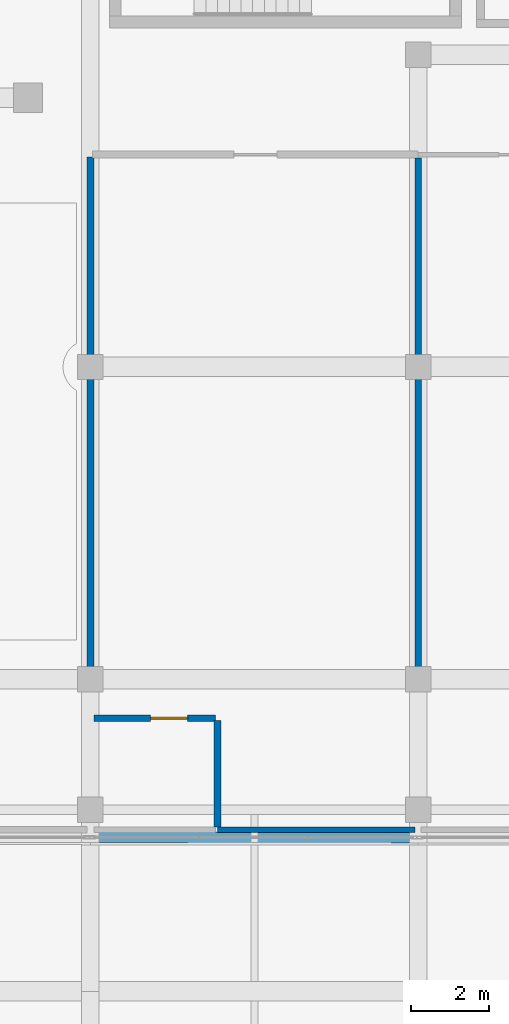
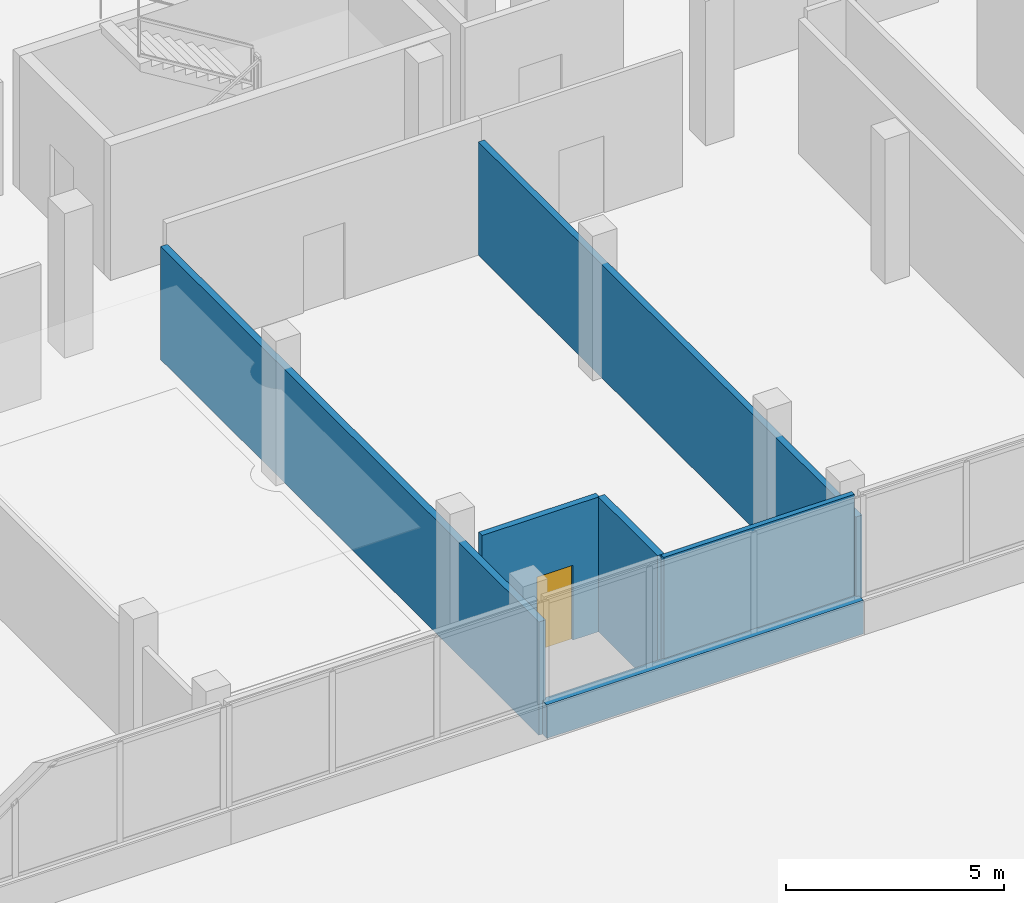
# One storey, part 66 of 78: 6 walls, 1 door, 1 opening.
"""IFC4 building model written with IfcOpenShell, lengths in metres."""

from ifc_helpers import new_model, si_unit, direction, frame, frame_2d, origin, place, context, subcontext, project, spatial, rectangle, extrude, material, layer, layer_set, type_object, element, fill, save


model = new_model("IFC4")

# Units and contexts
model_context = context("Model", 3, precision=1e-05, world=origin(), true_north=direction((0.0, 1.0)))
body_context = subcontext(model_context, "Body", "Model", "MODEL_VIEW")
ifc_project = project(units=[si_unit("LENGTHUNIT", "METRE"), si_unit("AREAUNIT", "SQUARE_METRE"), si_unit("VOLUMEUNIT", "CUBIC_METRE"), si_unit("PLANEANGLEUNIT", "RADIAN"), si_unit("MASSUNIT", "GRAM", prefix="KILO")], contexts=[model_context])

# Site, building, storey
site_placement = place(None, origin())
site = spatial("IfcSite", under=ifc_project, at=site_placement, CompositionType="ELEMENT")
building_placement = place(site_placement, origin())
building = spatial("IfcBuilding", under=site, at=building_placement, Name="Selatvlak General Hospital", CompositionType="ELEMENT")
storey_placement = place(building_placement, frame((0.0, 0.0, 23.25)))
storey = spatial("IfcBuildingStorey", under=building, at=storey_placement, Name="L05", CompositionType="ELEMENT", Elevation=23.25)

# Walls
ifc_material_1 = material(Name="Precast concrete C40/50 - white Bauhaus spandrel", Category="concrete")
ifc_layer_1 = layer(ifc_material_1, 0.280029296875, Name="Precast concrete C40/50 - white Bauhaus spandrel", Category="concrete")
ifc_layer_set_1 = layer_set([ifc_layer_1], Name="Precast concrete C40/50 - white Bauhaus spandrel")
wall_type_1 = type_object("IfcWallType", Name="WALL-EW-02", PredefinedType="SOLIDWALL", material=ifc_layer_set_1)
wall_1_placement = place(storey_placement, frame((140.39794921875, 87.944091796875, 0.0), z_axis=(0.0, 0.0, 1.0), x_axis=(-0.999999891771, 0.000465251476, 0.0)))
element("IfcWall", 1, at=wall_1_placement, inside=storey, type_object=wall_type_1, Name="L05 Bauhaus spandrel sill wall 0509", PredefinedType="SOLIDWALL", context=body_context, shape_type="SweptSolid", body=[
    extrude(rectangle(XDim=8.39599609375, YDim=0.280029296875, at=frame_2d((4.197998046875, 0.0))), origin(), (0.0, 0.0, 1.0), 0.93994140625),
])
ifc_material_2 = material(Name="Acoustic gypsum stud partition")
ifc_layer_2 = layer(ifc_material_2, 0.179931640625, Name="Acoustic gypsum stud partition")
ifc_layer_set_2 = layer_set([ifc_layer_2], Name="Acoustic gypsum stud partition")
wall_type_2 = type_object("IfcWallType", Name="WALL-PT-01", PredefinedType="PARTITIONING", material=ifc_layer_set_2)
wall_2_placement = place(storey_placement, frame((132.0, 105.3779296875, 0.0), z_axis=(0.0, 0.0, 1.0), x_axis=(0.0, -1.0, 0.0)))
element("IfcWall", 2, at=wall_2_placement, inside=storey, type_object=wall_type_2, Name="L05 clinical partition PT-L05-1885", PredefinedType="PARTITIONING", context=body_context, shape_type="SweptSolid", body=[
    extrude(rectangle(XDim=17.367919921875, YDim=0.179931640625, at=frame_2d((8.68408203125, 0.0))), origin(), (0.0, 0.0, 1.0), 3.175048828125),
])
wall_3_placement = place(storey_placement, frame((135.260009765625, 88.2041015625, 0.0), z_axis=(0.0, 0.0, 1.0), x_axis=(0.0, 1.0, 0.0)))
element("IfcWall", 3, at=wall_3_placement, inside=storey, type_object=wall_type_2, Name="L05 clinical partition PT-L05-1890", PredefinedType="PARTITIONING", context=body_context, shape_type="SweptSolid", body=[
    extrude(rectangle(XDim=2.73583984375, YDim=0.179931640625, at=frame_2d((1.367919921875, 0.0))), origin(), (0.0, 0.0, 1.0), 3.77490234375),
])
ifc_layer_3 = layer(ifc_material_2, 0.1650390625, Name="Acoustic gypsum stud partition")
ifc_layer_set_3 = layer_set([ifc_layer_3], Name="Acoustic gypsum stud partition")
wall_type_3 = type_object("IfcWallType", Name="WALL-PT-02", PredefinedType="PARTITIONING", material=ifc_layer_set_3)
wall_4_placement = place(storey_placement, frame((140.39990234375, 105.35400390625, 0.0), z_axis=(0.0, 0.0, 1.0), x_axis=(0.0, -1.0, 0.0)))
element("IfcWall", 4, at=wall_4_placement, inside=storey, type_object=wall_type_3, Name="L05 clinical partition PT-L05-1888", PredefinedType="PARTITIONING", context=body_context, shape_type="SweptSolid", body=[
    extrude(rectangle(XDim=17.343994140625, YDim=0.1650390625, at=frame_2d((8.671875, 0.0))), origin(), (0.0, 0.0, 1.0), 3.175048828125),
])

# Wall, opening, door
wall_5_placement = place(storey_placement, frame((135.199951171875, 91.0, 0.0), z_axis=(0.0, 0.0, 1.0), x_axis=(-1.0, 0.0, 0.0)))
wall_5 = element("IfcWall", 5, at=wall_5_placement, inside=storey, type_object=wall_type_3, Name="L05 clinical partition PT-L05-1891", PredefinedType="PARTITIONING", context=body_context, shape_type="SweptSolid", body=[
    extrude(rectangle(XDim=3.114013671875, YDim=0.1650390625, at=frame_2d((1.55712890625, 0.0))), origin(), (0.0, 0.0, 1.0), 3.77490234375),
])
opening_placement = place(wall_5_placement, frame((0.7080078125, 0.0, 0.0)))
opening = element("IfcOpeningElement", 6, at=opening_placement, cuts=wall_5, Name="Opening D-02", PredefinedType="OPENING", context=body_context, shape_type="SweptSolid", body=[
    extrude(rectangle(XDim=0.949951171875, YDim=2.10009765625, at=frame_2d((0.47509765625, 1.050048828125))), frame((0.0, 0.092529296875, 0.0), z_axis=(0.0, -1.0, 0.0), x_axis=(1.0, 0.0, 0.0)), (0.0, 0.0, 1.0), 0.18505859375),
])
ifc_material_3 = material(Name="Moisture-resistant en-suite door")
door_type = type_object("IfcDoorType", Name="DOOR-D-02", OperationType="NOTDEFINED", PredefinedType="DOOR", material=ifc_material_3)
door_placement = place(opening_placement, origin())
door = element("IfcDoor", 7, at=door_placement, inside=storey, type_object=door_type, Name="L05 Patient En-Suite WC 13 door", OperationType="SINGLE_SWING_LEFT", OverallHeight=2.10009765625, OverallWidth=0.949951171875, PredefinedType="DOOR", context=body_context, shape_type="SweptSolid", body=[
    extrude(rectangle(XDim=0.949951171875, YDim=2.10009765625, at=frame_2d((0.47509765625, 1.050048828125))), frame((0.0, 0.02490234375, 0.0), z_axis=(0.0, -1.0, 0.0), x_axis=(1.0, 0.0, 0.0)), (0.0, 0.0, 1.0), 0.050048828125),
])
fill(opening, door)

# Wall
ifc_material_4 = material(Name="Moisture-resistant clinical partition")
ifc_layer_4 = layer(ifc_material_4, 0.135009765625, Name="Moisture-resistant clinical partition")
ifc_layer_set_4 = layer_set([ifc_layer_4], Name="Moisture-resistant clinical partition")
wall_type_4 = type_object("IfcWallType", Name="WALL-PT-04", PredefinedType="PARTITIONING", material=ifc_layer_set_4)
wall_6_placement = place(storey_placement, frame((140.322021484375, 88.139892578125, 0.0), z_axis=(0.0, 0.0, 1.0), x_axis=(-1.0, 0.0, 0.0)))
element("IfcWall", 8, at=wall_6_placement, inside=storey, type_object=wall_type_4, Name="L05 clinical partition PT-L05-1889", PredefinedType="PARTITIONING", context=body_context, shape_type="SweptSolid", body=[
    extrude(rectangle(XDim=5.06201171875, YDim=0.135009765625, at=frame_2d((2.531005859375, 0.0))), origin(), (0.0, 0.0, 1.0), 3.77490234375),
])

save(model, "model.ifc")
